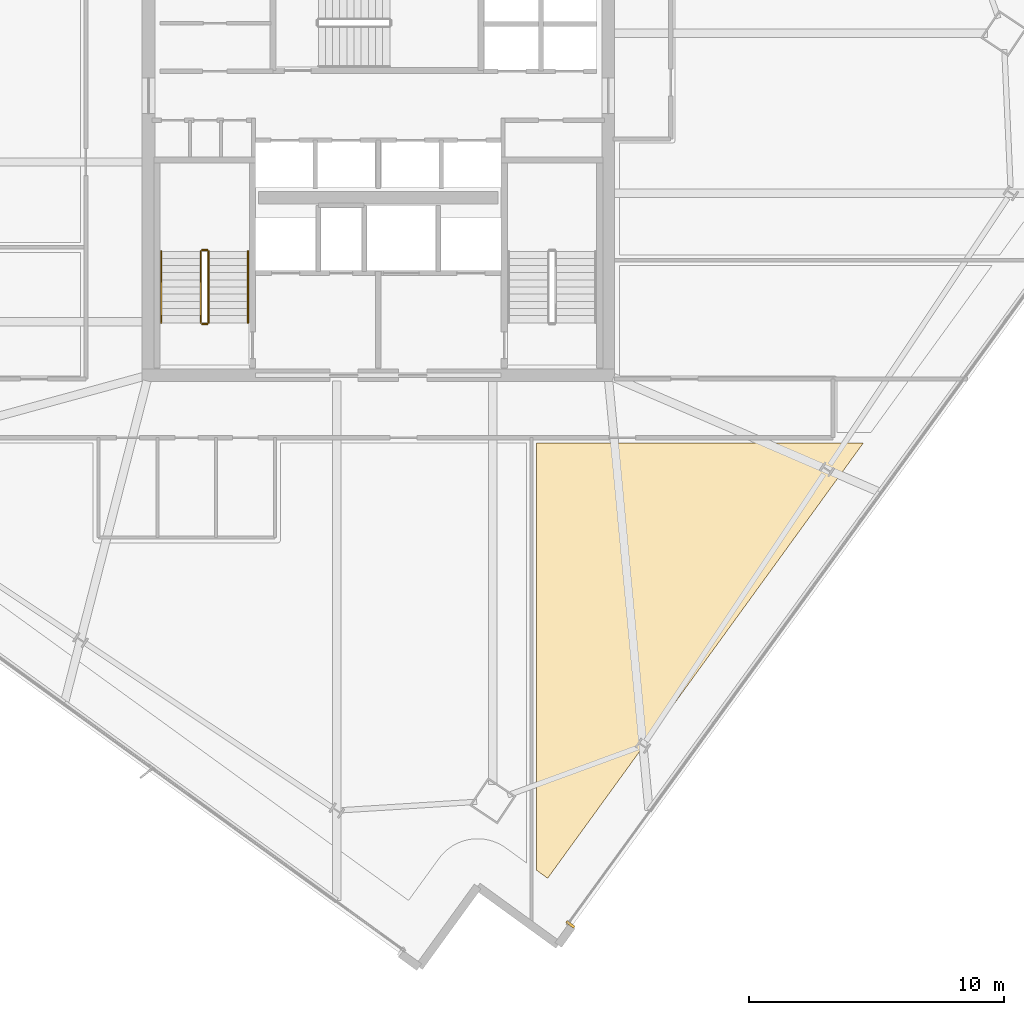
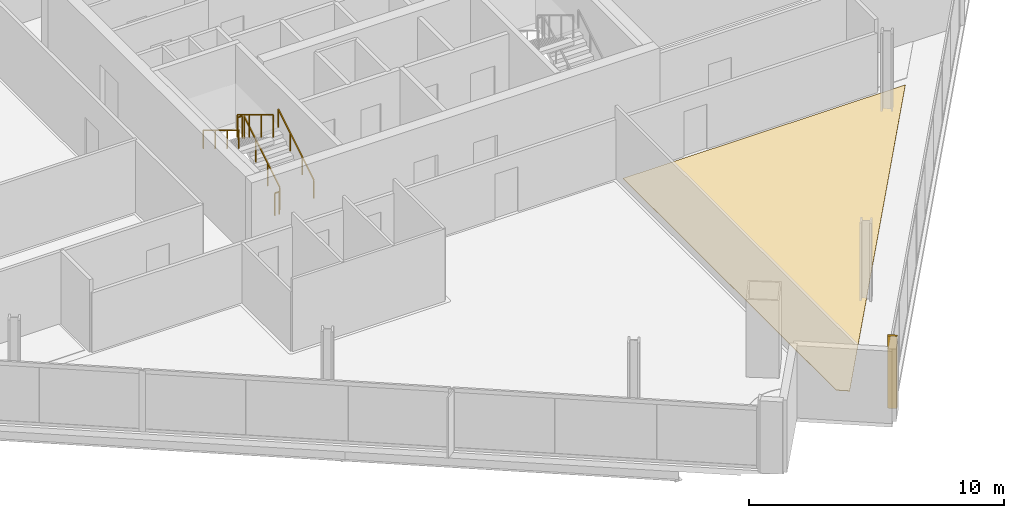
# One storey, part 26 of 29: 6 railings, 2 coverings.
"""IFC4 building model written with IfcOpenShell, lengths in metres."""

from ifc_helpers import new_model, si_unit, direction, frame, origin, origin_2d, place, context, subcontext, project, spatial, polyline, rectangle, outline, extrude, source, transform, mapped, material, layer, layer_set, type_object, element, save


model = new_model("IFC4")

# Units and contexts
model_context = context("Model", 3, precision=1e-05, world=origin(), true_north=direction((0.0, 1.0)))
body_context = subcontext(model_context, "Body", "Model", "MODEL_VIEW")
ifc_project = project(units=[si_unit("LENGTHUNIT", "METRE"), si_unit("AREAUNIT", "SQUARE_METRE"), si_unit("VOLUMEUNIT", "CUBIC_METRE"), si_unit("PLANEANGLEUNIT", "RADIAN"), si_unit("MASSUNIT", "GRAM", prefix="KILO")], contexts=[model_context])

# Site, building, storey
site_placement = place(None, origin())
site = spatial("IfcSite", under=ifc_project, at=site_placement, CompositionType="ELEMENT")
building_placement = place(site_placement, origin())
building = spatial("IfcBuilding", under=site, at=building_placement, Name="Haldenkirk Collegiate Tower", CompositionType="ELEMENT")
storey_placement = place(building_placement, frame((0.0, 0.0, 209.699951171875)))
storey = spatial("IfcBuildingStorey", under=building, at=storey_placement, Name="L52", CompositionType="ELEMENT", Elevation=209.699951171875)

# Covering
ifc_material_1 = material(Name="Polished collegiate terrazzo", Category="concrete")
ifc_layer_1 = layer(ifc_material_1, 0.02490234375)
ifc_layer_set_1 = layer_set([ifc_layer_1], Name="Polished collegiate terrazzo")
covering_type_1 = type_object("IfcCoveringType", Name="COV-FLOOR-TERRAZZO", PredefinedType="FLOORING", material=ifc_layer_set_1)
covering_1_placement = place(storey_placement, origin())
element("IfcCovering", 1, at=covering_1_placement, inside=storey, type_object=covering_type_1, Name="L52 academic room finish 02", PredefinedType="FLOORING", context=body_context, shape_type="SweptSolid", body=[
    extrude(outline(polyline([(42.631591796875, -1.69921875), (42.199951171875, -1.38623046875), (42.199951171875, 15.35009765625), (54.99560546875, 15.35009765625), (42.631591796875, -1.69921875)])), origin(), (0.0, 0.0, 1.0), 0.025146484375),
])

# Railings
ifc_material_2 = material(Name="Painted architectural tubular steel", Category="steel")
railing_type_1 = type_object("IfcRailingType", Name="RLG-STAIR-GUARD-1100", PredefinedType="BALUSTRADE", material=ifc_material_2)
railing_1_placement = place(storey_placement, frame((29.35009765625, 20.050048828125, 0.17041015625)))
element("IfcRailing", 2, at=railing_1_placement, inside=storey, type_object=railing_type_1, Name="L52 ST-1 stair guard 1", PredefinedType="BALUSTRADE", context=body_context, shape_type="SweptSolid", body=[
    extrude(rectangle(XDim=0.048095703125, YDim=0.048095703125, at=origin_2d()), frame((0.0, 0.0, 1.076171875), z_axis=(0.0, 0.854169791009, 0.51999420009), x_axis=(-1.0, 0.0, 0.0)), (0.0, 0.0, 1.0), 3.278076171875),
    extrude(rectangle(XDim=0.0419921875, YDim=0.0419921875, at=origin_2d()), origin(), (0.0, 0.0, 1.0), 1.052001953125),
    extrude(rectangle(XDim=0.0419921875, YDim=0.0419921875, at=origin_2d()), frame((0.0, 0.933349609375, 0.568115234375)), (0.0, 0.0, 1.0), 1.052001953125),
    extrude(rectangle(XDim=0.0419921875, YDim=0.0419921875, at=origin_2d()), frame((0.0, 1.86669921875, 1.136474609375)), (0.0, 0.0, 1.0), 1.052001953125),
    extrude(rectangle(XDim=0.0419921875, YDim=0.0419921875, at=origin_2d()), frame((0.0, 2.800048828125, 1.70458984375)), (0.0, 0.0, 1.0), 1.052001953125),
])
railing_2_placement = place(storey_placement, frame((29.300048828125, 22.89990234375, 1.875)))
element("IfcRailing", 3, at=railing_2_placement, inside=storey, type_object=railing_type_1, Name="L52 ST-1 stair guard 2", PredefinedType="BALUSTRADE", context=body_context, shape_type="SweptSolid", body=[
    extrude(rectangle(XDim=0.048095703125, YDim=0.048095703125, at=origin_2d()), frame((0.0, 0.0, 1.076171875), z_axis=(-1.0, 0.0, 0.0), x_axis=(0.0, -1.0, 0.0)), (0.0, 0.0, 1.0), 0.199951171875),
    extrude(rectangle(XDim=0.0419921875, YDim=0.0419921875, at=origin_2d()), origin(), (0.0, 0.0, 1.0), 1.052001953125),
    extrude(rectangle(XDim=0.0419921875, YDim=0.0419921875, at=origin_2d()), frame((-0.199951171875, 0.0, 0.0)), (0.0, 0.0, 1.0), 1.052001953125),
])
railing_3_placement = place(storey_placement, frame((29.050048828125, 22.85009765625, 2.04541015625)))
element("IfcRailing", 4, at=railing_3_placement, inside=storey, type_object=railing_type_1, Name="L52 ST-1 stair guard 3", PredefinedType="BALUSTRADE", context=body_context, shape_type="SweptSolid", body=[
    extrude(rectangle(XDim=0.048095703125, YDim=0.048095703125, at=origin_2d()), frame((0.0, 0.0, 1.076171875), z_axis=(0.0, -0.854169791009, 0.51999420009), x_axis=(1.0, 0.0, 0.0)), (0.0, 0.0, 1.0), 3.278076171875),
    extrude(rectangle(XDim=0.0419921875, YDim=0.0419921875, at=origin_2d()), origin(), (0.0, 0.0, 1.0), 1.052001953125),
    extrude(rectangle(XDim=0.0419921875, YDim=0.0419921875, at=origin_2d()), frame((0.0, -0.933349609375, 0.568115234375)), (0.0, 0.0, 1.0), 1.052001953125),
    extrude(rectangle(XDim=0.0419921875, YDim=0.0419921875, at=origin_2d()), frame((0.0, -1.86669921875, 1.136474609375)), (0.0, 0.0, 1.0), 1.052001953125),
    extrude(rectangle(XDim=0.0419921875, YDim=0.0419921875, at=origin_2d()), frame((0.0, -2.800048828125, 1.70458984375)), (0.0, 0.0, 1.0), 1.052001953125),
])
railing_4_placement = place(storey_placement, frame((29.300048828125, 20.0, 0.0)))
element("IfcRailing", 5, at=railing_4_placement, inside=storey, type_object=railing_type_1, Name="L52 ST-1 stair guard 4", PredefinedType="BALUSTRADE", context=body_context, shape_type="SweptSolid", body=[
    extrude(rectangle(XDim=0.048095703125, YDim=0.048095703125, at=origin_2d()), frame((0.0, 0.0, 1.076171875), z_axis=(-1.0, 0.0, 0.0), x_axis=(0.0, -1.0, 0.0)), (0.0, 0.0, 1.0), 0.199951171875),
    extrude(rectangle(XDim=0.0419921875, YDim=0.0419921875, at=origin_2d()), origin(), (0.0, 0.0, 1.0), 1.052001953125),
    extrude(rectangle(XDim=0.0419921875, YDim=0.0419921875, at=origin_2d()), frame((-0.199951171875, 0.0, 0.0)), (0.0, 0.0, 1.0), 1.052001953125),
])
railing_type_2 = type_object("IfcRailingType", Name="RLG-STAIR-HANDRAIL-900", PredefinedType="HANDRAIL", material=ifc_material_2)
railing_5_placement = place(storey_placement, frame((30.89990234375, 20.050048828125, 0.17041015625)))
element("IfcRailing", 6, at=railing_5_placement, inside=storey, type_object=railing_type_2, Name="L52 ST-1 stair handrail 1", PredefinedType="HANDRAIL", context=body_context, shape_type="SweptSolid", body=[
    extrude(rectangle(XDim=0.048095703125, YDim=0.048095703125, at=origin_2d()), frame((0.0, 0.0, 0.8759765625), z_axis=(0.0, 0.854169791009, 0.51999420009), x_axis=(-1.0, 0.0, 0.0)), (0.0, 0.0, 1.0), 3.278076171875),
    extrude(rectangle(XDim=0.0419921875, YDim=0.0419921875, at=origin_2d()), origin(), (0.0, 0.0, 1.0), 0.851806640625),
    extrude(rectangle(XDim=0.0419921875, YDim=0.0419921875, at=origin_2d()), frame((0.0, 0.933349609375, 0.568115234375)), (0.0, 0.0, 1.0), 0.851806640625),
    extrude(rectangle(XDim=0.0419921875, YDim=0.0419921875, at=origin_2d()), frame((0.0, 1.86669921875, 1.136474609375)), (0.0, 0.0, 1.0), 0.851806640625),
    extrude(rectangle(XDim=0.0419921875, YDim=0.0419921875, at=origin_2d()), frame((0.0, 2.800048828125, 1.70458984375)), (0.0, 0.0, 1.0), 0.851806640625),
])
railing_6_placement = place(storey_placement, frame((27.5, 22.85009765625, 2.04541015625)))
element("IfcRailing", 7, at=railing_6_placement, inside=storey, type_object=railing_type_2, Name="L52 ST-1 stair handrail 2", PredefinedType="HANDRAIL", context=body_context, shape_type="SweptSolid", body=[
    extrude(rectangle(XDim=0.048095703125, YDim=0.048095703125, at=origin_2d()), frame((0.0, 0.0, 0.8759765625), z_axis=(0.0, -0.854169791009, 0.51999420009), x_axis=(1.0, 0.0, 0.0)), (0.0, 0.0, 1.0), 3.278076171875),
    extrude(rectangle(XDim=0.0419921875, YDim=0.0419921875, at=origin_2d()), origin(), (0.0, 0.0, 1.0), 0.851806640625),
    extrude(rectangle(XDim=0.0419921875, YDim=0.0419921875, at=origin_2d()), frame((0.0, -0.933349609375, 0.568115234375)), (0.0, 0.0, 1.0), 0.851806640625),
    extrude(rectangle(XDim=0.0419921875, YDim=0.0419921875, at=origin_2d()), frame((0.0, -1.86669921875, 1.136474609375)), (0.0, 0.0, 1.0), 0.851806640625),
    extrude(rectangle(XDim=0.0419921875, YDim=0.0419921875, at=origin_2d()), frame((0.0, -2.800048828125, 1.70458984375)), (0.0, 0.0, 1.0), 0.851806640625),
])

# Covering
ifc_material_3 = material(Name="Anodised architectural bronze aluminium", Category="aluminium")
ifc_layer_2 = layer(ifc_material_3, 0.06005859375)
ifc_layer_set_2 = layer_set([ifc_layer_2], Name="Anodised architectural bronze aluminium")
covering_type_2 = type_object("IfcCoveringType", Name="COV-CLAD-BRONZE-60", PredefinedType="CLADDING", material=ifc_layer_set_2)
shared_shape = source(origin(), body_context, "Body", "SweptSolid", [
    extrude(rectangle(XDim=0.10009765625, YDim=0.3798828125, at=origin_2d()), origin(), (0.0, 0.0, 1.0), 3.469970703125),
])
covering_2_placement = place(storey_placement, frame((43.520751953125, -3.505126953125, 0.0), z_axis=(0.0, 0.0, 1.0), x_axis=(-0.587079028057, -0.809529625656, 0.0)))
element("IfcCovering", 8, at=covering_2_placement, inside=storey, type_object=covering_type_2, Name="L52 recessed curtain-wall bronze jamb closure SJR", PredefinedType="CLADDING", context=body_context, shape_type="MappedRepresentation", body=[
    mapped(shared_shape, transform((0.0, 0.0, 0.0), x_axis=(1.0, 0.0, 0.0), y_axis=(0.0, 1.0, 0.0), z_axis=(0.0, 0.0, 1.0), scale=1.0)),
])

save(model, "model.ifc")
